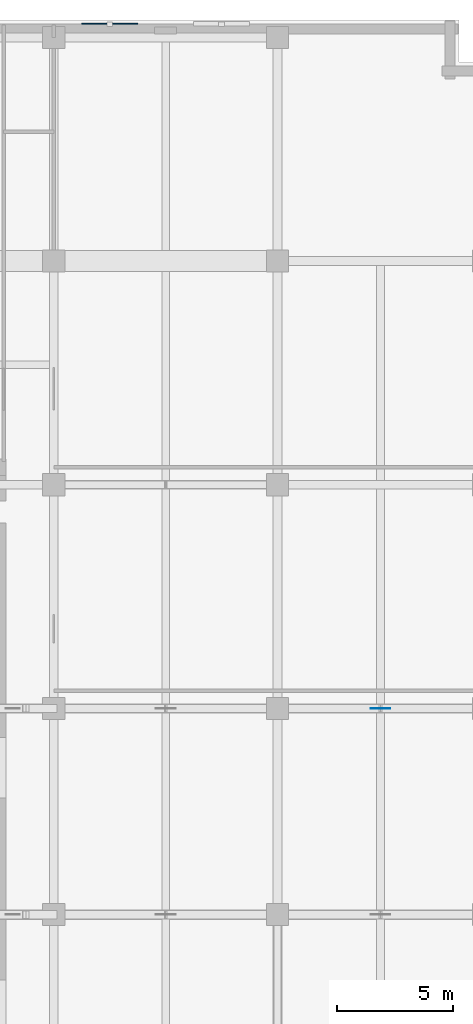
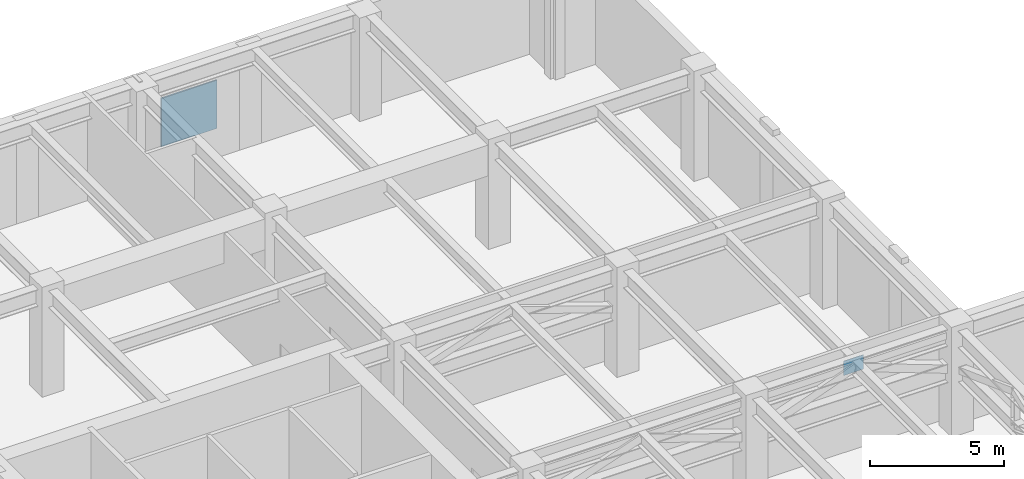
# One storey, part 11 of 21: 2 plates.
"""IFC4 building model written with IfcOpenShell, lengths in metres."""

from ifc_helpers import new_model, si_unit, direction, frame, origin, origin_2d, place, context, subcontext, project, spatial, rectangle, extrude, material, layer, layer_set, type_object, element, save


model = new_model("IFC4")

# Units and contexts
model_context = context("Model", 3, precision=1e-05, world=origin(), true_north=direction((0.0, 1.0)))
body_context = subcontext(model_context, "Body", "Model", "MODEL_VIEW")
ifc_project = project(units=[si_unit("LENGTHUNIT", "METRE"), si_unit("AREAUNIT", "SQUARE_METRE"), si_unit("VOLUMEUNIT", "CUBIC_METRE"), si_unit("PLANEANGLEUNIT", "RADIAN"), si_unit("MASSUNIT", "GRAM", prefix="KILO")], contexts=[model_context])

# Site, building, storey
site_placement = place(None, origin())
site = spatial("IfcSite", under=ifc_project, at=site_placement, CompositionType="ELEMENT")
building_placement = place(site_placement, origin())
building = spatial("IfcBuilding", under=site, at=building_placement, Name="Norrvale University Quadrangle", CompositionType="ELEMENT")
storey_placement = place(building_placement, frame((0.0, 0.0, 194.0)))
storey = spatial("IfcBuildingStorey", under=building, at=storey_placement, Name="L49", CompositionType="ELEMENT", Elevation=194.0)

# Plates
ifc_material_1 = material(Name="Perforated Acoustic Aluminium Screen", Category="aluminium")
ifc_layer_1 = layer(ifc_material_1, 0.06005859375, Name="Perforated Acoustic Aluminium Screen")
ifc_layer_set_1 = layer_set([ifc_layer_1], Name="Perforated Acoustic Aluminium Screen")
plate_type_1 = type_object("IfcPlateType", Name="Plate Crown Screen 60", PredefinedType="USERDEFINED", material=ifc_layer_set_1)
plate_1_placement = place(storey_placement, frame((21.60009765625, 67.0400390625, 1.0), z_axis=(0.0, 0.0, 1.0), x_axis=(-1.0, 0.0, 0.0)))
element("IfcPlate", 1, at=plate_1_placement, inside=storey, type_object=plate_type_1, Name="Acoustic Louvered Crown Screen 007", ObjectType="CROWN SCREEN", PredefinedType="USERDEFINED", context=body_context, shape_type="SweptSolid", body=[
    extrude(rectangle(XDim=2.39990234375, YDim=0.06005859375, at=origin_2d()), origin(), (0.0, 0.0, 1.0), 2.199951171875),
])
ifc_material_2 = material(Name="Steel 350W", Category="steel")
ifc_layer_2 = layer(ifc_material_2, 0.02490234375, Name="Steel 350W")
ifc_layer_set_2 = layer_set([ifc_layer_2], Name="Steel 350W")
plate_type_2 = type_object("IfcPlateType", Name="Plate Gusset 25", PredefinedType="USERDEFINED", material=ifc_layer_set_2)
plate_2_placement = place(storey_placement, frame((33.22509765625, 37.64990234375, 4.06494140625), z_axis=(0.0, 0.0, 1.0), x_axis=(1.0, 0.0, 0.0)))
element("IfcPlate", 2, at=plate_2_placement, inside=storey, type_object=plate_type_2, Name="Outrigger Truss Gusset Plate 32", ObjectType="GUSSET_PLATE", PredefinedType="USERDEFINED", context=body_context, shape_type="SweptSolid", body=[
    extrude(rectangle(XDim=0.85009765625, YDim=0.02490234375, at=origin_2d()), origin(), (0.0, 0.0, 1.0), 0.64990234375),
])

save(model, "model.ifc")
